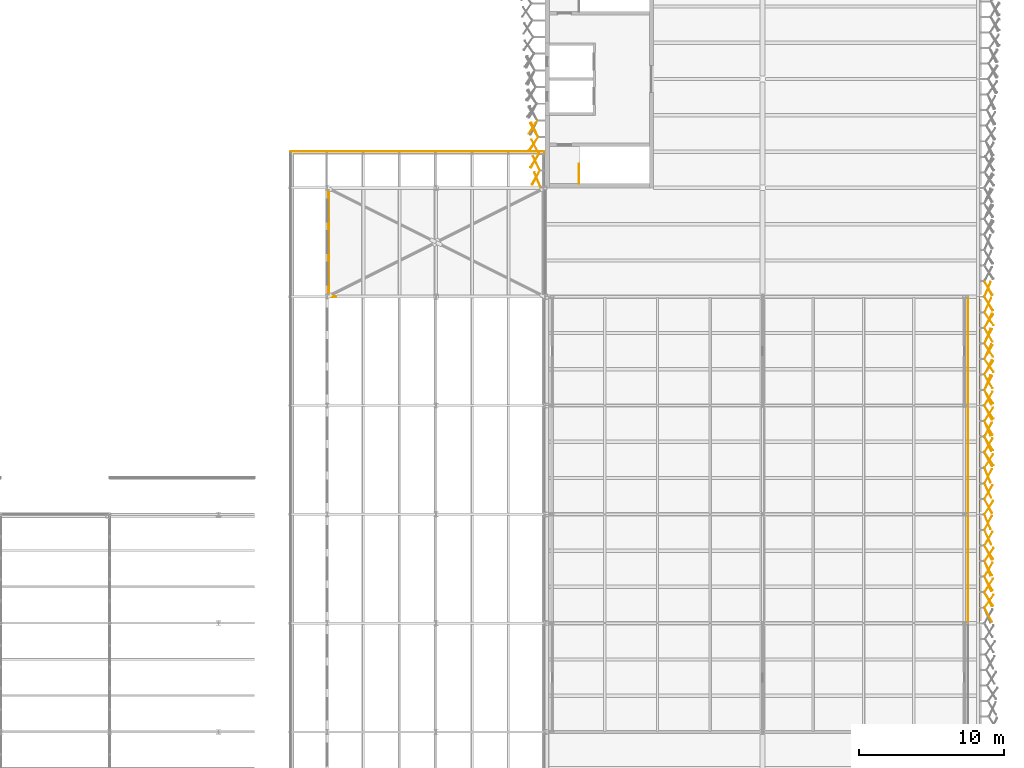
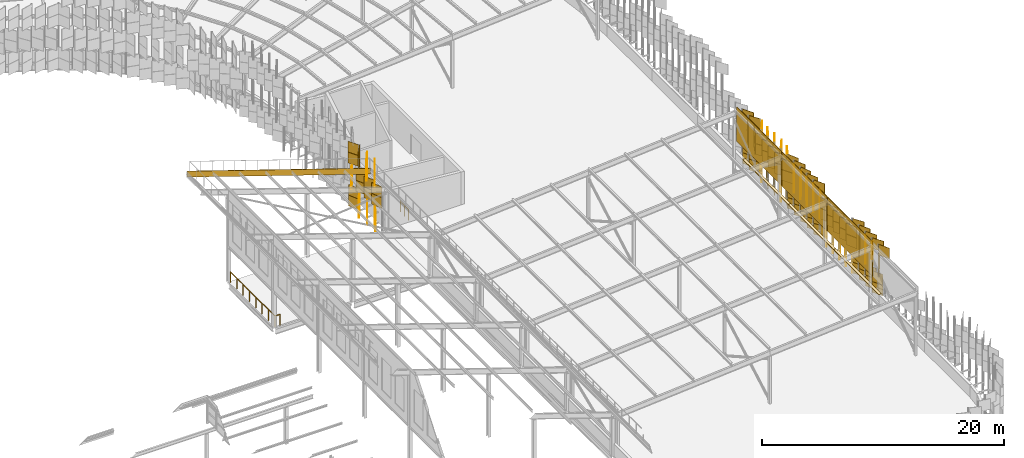
# One storey, part 469 of 483: 132 coverings, 2 railings.
"""IFC4 building model written with IfcOpenShell, lengths in metres."""

import ifcopenshell
import ifcopenshell.guid

model = None  # the IFC model being written
_history = None  # IfcOwnerHistory: only IFC2X3 demands one
_inside = {}  # id of a spatial element -> (the spatial element, [elements in it])
_under = {}  # id of a project, library or spatial element -> (it, [spatial elements below it])
_declared = {}  # id of a project -> (the project, [libraries it declares])
_typed = {}  # id of a type object -> (the type object, [elements of that type])
_made_of = {}  # id of a material, layer set ... -> (it, [elements and type objects made of it])


def new_model(schema):
    """Start an empty IFC model of exactly this schema.

    Asked for "IFC4X3", IfcOpenShell would pick the latest addendum, in which some entities
    have other attributes; the version numbers below select the first issue.
    IFC2X3 requires an IfcOwnerHistory on every rooted entity: one is made here for all.
    """
    global model, _history
    if schema == "IFC4X3":
        model = ifcopenshell.file(schema_version=(4, 3, 0, 0))
    else:
        model = ifcopenshell.file(schema=schema)
    _inside.clear()
    _under.clear()
    _declared.clear()
    _typed.clear()
    _made_of.clear()
    _history = None
    if model.schema == "IFC2X3":
        org = make("IfcOrganization", Name="unknown")
        user = make(
            "IfcPersonAndOrganization",
            ThePerson=make("IfcPerson", FamilyName="unknown"),
            TheOrganization=org,
        )
        app = make(
            "IfcApplication",
            ApplicationDeveloper=org,
            Version="unknown",
            ApplicationFullName="unknown",
            ApplicationIdentifier="unknown",
        )
        _history = make(
            "IfcOwnerHistory",
            OwningUser=user,
            OwningApplication=app,
            ChangeAction="ADDED",
            CreationDate=0,
        )
    return model


def make(cls, **values):
    """One entity of the class cls with the attributes given. An attribute that is None is left unset."""
    return model.create_entity(
        cls, **{name: value for name, value in values.items() if value is not None}
    )


def rooted(cls, **values):
    """An entity with a GlobalId (a new one), such as an element, a storey or a relation."""
    return make(cls, GlobalId=ifcopenshell.guid.new(), OwnerHistory=_history, **values)


def si_unit(unit_type, name, prefix=None):
    """IfcSIUnit, for example si_unit("LENGTHUNIT", "METRE", prefix="MILLI")."""
    return make("IfcSIUnit", UnitType=unit_type, Prefix=prefix, Name=name)


def assignment(units):
    """IfcUnitAssignment: the units of a project."""
    return None if units is None else make("IfcUnitAssignment", Units=units)


def point(xyz):
    """IfcCartesianPoint."""
    return None if xyz is None else make("IfcCartesianPoint", Coordinates=xyz)


def direction(xyz):
    """IfcDirection."""
    return None if xyz is None else make("IfcDirection", DirectionRatios=xyz)


def frame(location, z_axis=None, x_axis=None):
    """IfcAxis2Placement3D, a coordinate frame: its origin and axes. An axis left out is left unset."""
    return make(
        "IfcAxis2Placement3D",
        Location=point(location),
        Axis=direction(z_axis),
        RefDirection=direction(x_axis),
    )


def frame_2d(location, x_axis=None):
    """IfcAxis2Placement2D, a coordinate frame in the plane: its origin and x axis."""
    return make(
        "IfcAxis2Placement2D", Location=point(location), RefDirection=direction(x_axis)
    )


def origin():
    """The frame at (0, 0, 0) with its axes left unset."""
    return frame((0.0, 0.0, 0.0))


def origin_2d():
    """The frame at (0, 0) in the plane with its x axis left unset."""
    return frame_2d((0.0, 0.0))


def place(relative_to, where):
    """IfcLocalPlacement: puts the frame where relative to a parent placement (None: the world)."""
    return make(
        "IfcLocalPlacement", PlacementRelTo=relative_to, RelativePlacement=where
    )


def context(
    kind, dimensions, precision=None, world=None, true_north=None, identifier=None
):
    """IfcGeometricRepresentationContext, for example the 3D "Model" context."""
    return make(
        "IfcGeometricRepresentationContext",
        ContextIdentifier=identifier,
        ContextType=kind,
        CoordinateSpaceDimension=dimensions,
        Precision=precision,
        WorldCoordinateSystem=world,
        TrueNorth=true_north,
    )


def subcontext(parent, identifier, kind, view, scale=None):
    """IfcGeometricRepresentationSubContext, for example "Body" below "Model"."""
    return make(
        "IfcGeometricRepresentationSubContext",
        ContextIdentifier=identifier,
        ContextType=kind,
        ParentContext=parent,
        TargetScale=scale,
        TargetView=view,
    )


def project(units=None, contexts=None):
    """IfcProject with its units and contexts."""
    return rooted(
        "IfcProject",
        Name="project",
        RepresentationContexts=contexts,
        UnitsInContext=assignment(units),
    )


def spatial(cls, under=None, at=None, **own):
    """A site, building, storey or space (cls), placed at a placement, below another one or the project."""
    s = rooted(cls, ObjectPlacement=at, **own)
    if under is not None:
        _under.setdefault(under.id(), (under, []))[1].append(s)
    return s


def polyline(points):
    """IfcPolyline through the points."""
    return make("IfcPolyline", Points=[point(p) for p in points])


def profile(cls, at=None, kind="AREA", **sizes):
    """A parametric profile (cls). Its sizes go by their IFC names, for example OverallWidth=200.0."""
    return make(cls, ProfileType=kind, Position=at, **sizes)


def rectangle(**sizes):
    """IfcRectangleProfileDef."""
    return profile("IfcRectangleProfileDef", **sizes)


def circle(**sizes):
    """IfcCircleProfileDef."""
    return profile("IfcCircleProfileDef", **sizes)


def outline(outer, holes=None, kind="AREA"):
    """IfcArbitraryClosedProfileDef: a profile drawn as a closed curve; with holes, ...WithVoids."""
    if holes is None:
        return make("IfcArbitraryClosedProfileDef", ProfileType=kind, OuterCurve=outer)
    return make(
        "IfcArbitraryProfileDefWithVoids",
        ProfileType=kind,
        OuterCurve=outer,
        InnerCurves=holes,
    )


def extrude(swept, where, along, depth):
    """IfcExtrudedAreaSolid: the profile swept, set in the frame where, extruded along a direction by depth."""
    return make(
        "IfcExtrudedAreaSolid",
        SweptArea=swept,
        Position=where,
        ExtrudedDirection=direction(along),
        Depth=depth,
    )


def shape(context_of_items, identifier, shape_type, items):
    """IfcShapeRepresentation: the items that make up one representation, for example the "Body"."""
    return make(
        "IfcShapeRepresentation",
        ContextOfItems=context_of_items,
        RepresentationIdentifier=identifier,
        RepresentationType=shape_type,
        Items=items,
    )


def material(Name=None, Category=None):
    """IfcMaterial."""
    return make("IfcMaterial", Name=Name, Category=Category)


def layer(
    of_material, thickness, ventilated=None, Name=None, Category=None, Priority=None
):
    """IfcMaterialLayer: one layer of a wall or slab, of a material (None: an air gap)."""
    return make(
        "IfcMaterialLayer",
        Material=of_material,
        LayerThickness=thickness,
        IsVentilated=ventilated,
        Name=Name,
        Category=Category,
        Priority=Priority,
    )


def layer_set(layers, Name=None):
    """IfcMaterialLayerSet."""
    return make("IfcMaterialLayerSet", MaterialLayers=layers, LayerSetName=Name)


def made_of(thing, what):
    """Note that an element or type object is made of a material, layer set ...; save() writes the relation."""
    if what is not None:
        _made_of.setdefault(what.id(), (what, []))[1].append(thing)
    return thing


def type_object(cls, material=None, **own):
    """A type object (cls), such as IfcWallType, which elements share."""
    return made_of(rooted(cls, **own), material)


def element(
    cls,
    number,
    at=None,
    inside=None,
    cuts=None,
    type_object=None,
    material=None,
    context=None,
    identifier="Body",
    shape_type=None,
    held_by="IfcProductDefinitionShape",
    body=None,
    shapes=None,
    **own,
):
    """One element of the class cls, such as IfcWall. Its Tag is "e" and its number.

    at: its placement. inside: the storey or other place that contains it. cuts: it is an
    opening in that element (IfcRelVoidsElement). A single representation is given by context,
    identifier, shape_type and body (its items); several are given by shapes. held_by: the class
    of the entity that holds the representations. save() writes the other relations.
    """
    e = rooted(cls, Tag="e%d" % number, ObjectPlacement=at, **own)
    if body is not None:
        shapes = [shape(context, identifier, shape_type, body)]
    if shapes is not None:
        e.Representation = make(held_by, Representations=shapes)
    if inside is not None:
        _inside.setdefault(inside.id(), (inside, []))[1].append(e)
    if cuts is not None:
        rooted(
            "IfcRelVoidsElement", RelatingBuildingElement=cuts, RelatedOpeningElement=e
        )
    if type_object is not None:
        _typed.setdefault(type_object.id(), (type_object, []))[1].append(e)
    return made_of(e, material)


def aggregate(whole, parts):
    """IfcRelAggregates: a whole, such as a stair, and the parts it consists of."""
    return rooted("IfcRelAggregates", RelatingObject=whole, RelatedObjects=parts)


def save(model, path):
    """Write the relations noted so far, then the file.

    IfcRelAggregates (storeys below a building ...), IfcRelContainedInSpatialStructure (elements
    in a storey), IfcRelDefinesByType, IfcRelAssociatesMaterial and IfcRelDeclares: one each for
    every whole, place, type object, material and project.
    """
    for whole, parts in _under.values():
        aggregate(whole, parts)
    for where, things in _inside.values():
        rooted(
            "IfcRelContainedInSpatialStructure",
            RelatedElements=things,
            RelatingStructure=where,
        )
    for kind, things in _typed.values():
        rooted("IfcRelDefinesByType", RelatedObjects=things, RelatingType=kind)
    for what, things in _made_of.values():
        rooted("IfcRelAssociatesMaterial", RelatedObjects=things, RelatingMaterial=what)
    for by, libraries in _declared.values():
        rooted("IfcRelDeclares", RelatingContext=by, RelatedDefinitions=libraries)
    model.write(path)


model = new_model("IFC4")

# Units and contexts
model_context = context("Model", 3, precision=1e-05, world=origin(), true_north=direction((0.0, 1.0)))
body_context = subcontext(model_context, "Body", "Model", "MODEL_VIEW")
ifc_project = project(units=[si_unit("LENGTHUNIT", "METRE"), si_unit("AREAUNIT", "SQUARE_METRE"), si_unit("VOLUMEUNIT", "CUBIC_METRE"), si_unit("PLANEANGLEUNIT", "RADIAN"), si_unit("MASSUNIT", "GRAM", prefix="KILO")], contexts=[model_context])

# Site, building, storey
site_placement = place(None, origin())
site = spatial("IfcSite", under=ifc_project, at=site_placement, CompositionType="ELEMENT")
building_placement = place(site_placement, origin())
building = spatial("IfcBuilding", under=site, at=building_placement, Name="Parallax Yard Mobility Hub", CompositionType="ELEMENT")
storey_placement = place(building_placement, frame((0.0, 0.0, 13.199951171875)))
storey = spatial("IfcBuildingStorey", under=building, at=storey_placement, Name="L04", CompositionType="ELEMENT", Elevation=13.199951171875)

# Railing
ifc_material_1 = material(Name="Steel ASTM A36", Category="steel")
railing_type_1 = type_object("IfcRailingType", Name="Landing edge guard 1100", PredefinedType="GUARDRAIL", material=ifc_material_1)
railing_1_placement = place(storey_placement, frame((180.60009765625, 67.5, 0.0)))
element("IfcRailing", 1, at=railing_1_placement, inside=storey, type_object=railing_type_1, Name="Ramp house north landing west edge guard level L04", PredefinedType="GUARDRAIL", context=body_context, shape_type="SweptSolid", body=[
    extrude(circle(Radius=0.02392578125, at=origin_2d()), frame((0.0, 0.0, 1.076171875), z_axis=(-1.0, 0.0, 0.0), x_axis=(0.0, -1.0, 0.0)), (0.0, 0.0, 1.0), 0.5),
    extrude(circle(Radius=0.02392578125, at=origin_2d()), frame((-0.5, 0.0, 1.076171875), z_axis=(0.0, 1.0, 0.0), x_axis=(-1.0, 0.0, 0.0)), (0.0, 0.0, 1.0), 7.346435546875),
    extrude(circle(Radius=0.02099609375, at=origin_2d()), origin(), (0.0, 0.0, 1.0), 1.052001953125),
    extrude(circle(Radius=0.02099609375, at=origin_2d()), frame((-0.5, 0.0, 0.0)), (0.0, 0.0, 1.0), 1.052001953125),
    extrude(circle(Radius=0.02099609375, at=origin_2d()), frame((-0.5, 1.049560546875, 0.0)), (0.0, 0.0, 1.0), 1.052001953125),
    extrude(circle(Radius=0.02099609375, at=origin_2d()), frame((-0.5, 2.098876953125, 0.0)), (0.0, 0.0, 1.0), 1.052001953125),
    extrude(circle(Radius=0.02099609375, at=origin_2d()), frame((-0.5, 3.1484375, 0.0)), (0.0, 0.0, 1.0), 1.052001953125),
    extrude(circle(Radius=0.02099609375, at=origin_2d()), frame((-0.5, 4.197998046875, 0.0)), (0.0, 0.0, 1.0), 1.052001953125),
    extrude(circle(Radius=0.02099609375, at=origin_2d()), frame((-0.5, 5.24755859375, 0.0)), (0.0, 0.0, 1.0), 1.052001953125),
    extrude(circle(Radius=0.02099609375, at=origin_2d()), frame((-0.5, 6.296875, 0.0)), (0.0, 0.0, 1.0), 1.052001953125),
    extrude(circle(Radius=0.02099609375, at=origin_2d()), frame((-0.5, 7.346435546875, 0.0)), (0.0, 0.0, 1.0), 1.052001953125),
])

# Coverings
ifc_material_2 = material(Name="Concrete fc' 35 MPa", Category="concrete")
ifc_layer_1 = layer(ifc_material_2, 0.06005859375)
ifc_layer_set_1 = layer_set([ifc_layer_1], Name="Parapet coping, Concrete fc' 35 MPa precast, 240")
covering_type_1 = type_object("IfcCoveringType", Name="Parapet coping, Concrete fc' 35 MPa precast, 240", PredefinedType="USERDEFINED", material=ifc_layer_set_1)
covering_1_placement = place(storey_placement, frame((0.0, 0.0, 1.199951171875)))
element("IfcCovering", 2, at=covering_1_placement, inside=storey, type_object=covering_type_1, Name="Parapet coping run 4 part 11", ObjectType="COPING", PredefinedType="USERDEFINED", context=body_context, shape_type="SweptSolid", body=[
    extrude(outline(polyline([(224.73388671875, 45.000244140625), (224.97412109375, 45.000244140625), (224.97412109375, 52.500244140625), (224.73388671875, 52.500244140625), (224.73388671875, 45.000244140625)])), origin(), (0.0, 0.0, 1.0), 0.06005859375),
])
covering_2_placement = place(storey_placement, frame((0.0, 0.0, 1.199951171875)))
element("IfcCovering", 3, at=covering_2_placement, inside=storey, type_object=covering_type_1, Name="Parapet coping run 4 part 12", ObjectType="COPING", PredefinedType="USERDEFINED", context=body_context, shape_type="SweptSolid", body=[
    extrude(outline(polyline([(224.73388671875, 52.500244140625), (224.97412109375, 52.500244140625), (224.97412109375, 60.000244140625), (224.73388671875, 60.000244140625), (224.73388671875, 52.500244140625)])), origin(), (0.0, 0.0, 1.0), 0.06005859375),
])
covering_3_placement = place(storey_placement, frame((0.0, 0.0, 1.199951171875)))
element("IfcCovering", 4, at=covering_3_placement, inside=storey, type_object=covering_type_1, Name="Parapet coping run 4 part 13", ObjectType="COPING", PredefinedType="USERDEFINED", context=body_context, shape_type="SweptSolid", body=[
    extrude(outline(polyline([(224.73388671875, 60.000244140625), (224.97412109375, 60.000244140625), (224.97412109375, 67.500244140625), (224.73388671875, 67.500244140625), (224.73388671875, 60.000244140625)])), origin(), (0.0, 0.0, 1.0), 0.06005859375),
])
ifc_material_3 = material(Name="Aluminium composite fascia panel", Category="aluminium")
ifc_layer_2 = layer(ifc_material_3, 0.0400390625)
ifc_layer_set_2 = layer_set([ifc_layer_2], Name="Roof fascia 600")
covering_type_2 = type_object("IfcCoveringType", Name="Roof fascia 600", PredefinedType="CLADDING", material=ifc_layer_set_2)
covering_4_placement = place(storey_placement, frame((195.0, 77.5, 4.702392578125), z_axis=(0.0, -1.0, 0.0), x_axis=(-0.948684621542, 0.0, 0.316223795515)))
element("IfcCovering", 5, at=covering_4_placement, inside=storey, type_object=covering_type_2, Name="Fascia on roof edge V2-PL edge 3", PredefinedType="CLADDING", context=body_context, shape_type="SweptSolid", body=[
    extrude(outline(polyline([(0.0, 0.0), (18.446593949795627, 0.0), (18.25682879125671, 0.5693034179077463), (-0.1897651585389199, 0.5693034179077461), (0.0, 0.0)])), origin(), (0.0, 0.0, -1.0), 0.0400390625),
])
ifc_material_4 = material(Name="Aluminium panel, silver anodised", Category="aluminium")
ifc_layer_3 = layer(ifc_material_4, 0.030029296875)
ifc_layer_set_3 = layer_set([ifc_layer_3], Name="Skin panel 22.5 degree turn, silver anodised")
covering_type_3 = type_object("IfcCoveringType", Name="Skin panel 22.5 degree turn, silver anodised", PredefinedType="CLADDING", material=ifc_layer_set_3)
for number, where, z_axis, x_axis, name in (
    (6, (225.512939453125, 48.7626953125, 0.02001953125), (0.0, 0.0, 1.0), (0.382683432365, -0.923879532511, 0.0), "Skin panel 22.5 bay 35.4 row 1 level L04"),
    (7, (225.512939453125, 48.7626953125, 1.1201171875), (0.0, 0.0, 1.0), (0.382683432365, -0.923879532511, 0.0), "Skin panel 22.5 bay 35.4 row 2 level L04"),
    (8, (225.512939453125, 51.977783203125, 2.219970703125), (0.0, 0.0, 1.0), (0.382683432365, -0.923879532511, 0.0), "Skin panel 22.5 bay 35.7 row 3 level L04"),
    (9, (225.512939453125, 51.977783203125, 3.320068359375), (0.0, 0.0, 1.0), (0.382683432365, -0.923879532511, 0.0), "Skin panel 22.5 bay 35.7 row 4 level L04"),
    (10, (225.512939453125, 55.193115234375, 2.219970703125), (0.0, 0.0, 1.0), (0.382683432365, -0.923879532511, 0.0), "Skin panel 22.5 bay 36.3 row 3 level L04"),
    (11, (225.512939453125, 55.193115234375, 3.320068359375), (0.0, 0.0, 1.0), (0.382683432365, -0.923879532511, 0.0), "Skin panel 22.5 bay 36.3 row 4 level L04"),
    (12, (225.512939453125, 58.408203125, 4.419921875), (0.0, 0.0, 1.0), (0.382683432365, -0.923879532511, 0.0), "Skin panel 22.5 bay 36.6 row 5 level L04"),
    (13, (225.512939453125, 61.57958984375, 0.02001953125), (0.0, 0.0, 1.0), (0.382683432365, 0.923879532511, 0.0), "Skin panel 22.5 bay 37.2 row 1 level L04"),
    (14, (225.512939453125, 61.57958984375, 1.1201171875), (0.0, 0.0, 1.0), (0.382683432365, 0.923879532511, 0.0), "Skin panel 22.5 bay 37.2 row 2 level L04"),
    (15, (225.512939453125, 64.794921875, 0.02001953125), (0.0, 0.0, 1.0), (0.382683432365, 0.923879532511, 0.0), "Skin panel 22.5 bay 37.5 row 1 level L04"),
    (16, (225.512939453125, 64.794921875, 1.1201171875), (0.0, 0.0, 1.0), (0.382683432365, 0.923879532511, 0.0), "Skin panel 22.5 bay 37.5 row 2 level L04"),
    (17, (225.512939453125, 68.010009765625, 2.219970703125), (0.0, 0.0, 1.0), (0.382683432365, 0.923879532511, 0.0), "Skin panel 22.5 bay 38.1 row 3 level L04"),
    (18, (225.512939453125, 68.010009765625, 3.320068359375), (0.0, 0.0, 1.0), (0.382683432365, 0.923879532511, 0.0), "Skin panel 22.5 bay 38.1 row 4 level L04"),
    (19, (194.487060546875, 75.561279296875, 2.219970703125), (0.0, 0.0, 1.0), (-0.382683432365, 0.923879532511, 0.0), "Skin panel 22.5 bay 23.13 row 3 level L04"),
    (20, (194.487060546875, 75.561279296875, 3.320068359375), (0.0, 0.0, 1.0), (-0.382683432365, 0.923879532511, 0.0), "Skin panel 22.5 bay 23.13 row 4 level L04"),
):
    element("IfcCovering", number, at=place(storey_placement, frame(where, z_axis=z_axis, x_axis=x_axis)), inside=storey, type_object=covering_type_3, Name=name, ObjectType="SCREEN", PredefinedType="CLADDING", context=body_context, shape_type="SweptSolid", body=[
        extrude(rectangle(XDim=1.080078125, YDim=0.030029296875, at=origin_2d()), origin(), (0.0, 0.0, 1.0), 1.080078125),
    ])
ifc_layer_4 = layer(ifc_material_4, 0.030029296875)
ifc_layer_set_4 = layer_set([ifc_layer_4], Name="Skin panel 25 degree turn, silver anodised")
covering_type_4 = type_object("IfcCoveringType", Name="Skin panel 25 degree turn, silver anodised", PredefinedType="CLADDING", material=ifc_layer_set_4)
for number, where, z_axis, x_axis, name in (
    (21, (225.53515625, 47.70068359375, 0.02001953125), (0.0, 0.0, 1.0), (0.422618261741, -0.906307787037, 0.0), "Skin panel 25 bay 35.3 row 1 level L04"),
    (22, (225.53515625, 47.70068359375, 1.1201171875), (0.0, 0.0, 1.0), (0.422618261741, -0.906307787037, 0.0), "Skin panel 25 bay 35.3 row 2 level L04"),
    (23, (225.53515625, 50.916015625, 2.219970703125), (0.0, 0.0, 1.0), (0.422618261741, -0.906307787037, 0.0), "Skin panel 25 bay 35.6 row 3 level L04"),
    (24, (225.53515625, 50.916015625, 3.320068359375), (0.0, 0.0, 1.0), (0.422618261741, -0.906307787037, 0.0), "Skin panel 25 bay 35.6 row 4 level L04"),
    (25, (225.53515625, 54.131103515625, 2.219970703125), (0.0, 0.0, 1.0), (0.422618261741, -0.906307787037, 0.0), "Skin panel 25 bay 36.2 row 3 level L04"),
    (26, (225.53515625, 54.131103515625, 3.320068359375), (0.0, 0.0, 1.0), (0.422618261741, -0.906307787037, 0.0), "Skin panel 25 bay 36.2 row 4 level L04"),
    (27, (225.53515625, 57.34619140625, 4.419921875), (0.0, 0.0, 1.0), (0.422618261741, -0.906307787037, 0.0), "Skin panel 25 bay 36.5 row 5 level L04"),
    (28, (225.53515625, 60.5615234375, 4.419921875), (0.0, 0.0, 1.0), (0.422618261741, -0.906307787037, 0.0), "Skin panel 25 bay 37.1 row 5 level L04"),
    (29, (225.53515625, 63.71337890625, 0.02001953125), (0.0, 0.0, 1.0), (0.422618261741, 0.906307787037, 0.0), "Skin panel 25 bay 37.4 row 1 level L04"),
    (30, (225.53515625, 63.71337890625, 1.1201171875), (0.0, 0.0, 1.0), (0.422618261741, 0.906307787037, 0.0), "Skin panel 25 bay 37.4 row 2 level L04"),
    (31, (225.53515625, 66.9287109375, 2.219970703125), (0.0, 0.0, 1.0), (0.422618261741, 0.906307787037, 0.0), "Skin panel 25 bay 37.7 row 3 level L04"),
    (32, (225.53515625, 66.9287109375, 3.320068359375), (0.0, 0.0, 1.0), (0.422618261741, 0.906307787037, 0.0), "Skin panel 25 bay 37.7 row 4 level L04"),
    (33, (194.302001953125, 79.001953125, 0.02001953125), (0.0, 0.0, 1.0), (-0.422618261741, 0.906307787037, 0.0), "Skin panel 25 bay 23.10 row 1 level L04"),
    (34, (194.302001953125, 79.001953125, 1.1201171875), (0.0, 0.0, 1.0), (-0.422618261741, 0.906307787037, 0.0), "Skin panel 25 bay 23.10 row 2 level L04"),
    (35, (194.4169921875, 76.70166015625, 2.219970703125), (0.0, 0.0, 1.0), (-0.422618261741, 0.906307787037, 0.0), "Skin panel 25 bay 23.12 row 3 level L04"),
    (36, (194.4169921875, 76.70166015625, 3.320068359375), (0.0, 0.0, 1.0), (-0.422618261741, 0.906307787037, 0.0), "Skin panel 25 bay 23.12 row 4 level L04"),
):
    element("IfcCovering", number, at=place(storey_placement, frame(where, z_axis=z_axis, x_axis=x_axis)), inside=storey, type_object=covering_type_4, Name=name, ObjectType="SCREEN", PredefinedType="CLADDING", context=body_context, shape_type="SweptSolid", body=[
        extrude(rectangle(XDim=1.080078125, YDim=0.030029296875, at=origin_2d()), origin(), (0.0, 0.0, 1.0), 1.080078125),
    ])
ifc_layer_5 = layer(ifc_material_4, 0.030029296875)
ifc_layer_set_5 = layer_set([ifc_layer_5], Name="Skin panel 27.5 degree turn, silver anodised")
covering_type_5 = type_object("IfcCoveringType", Name="Skin panel 27.5 degree turn, silver anodised", PredefinedType="CLADDING", material=ifc_layer_set_5)
for number, where, z_axis, x_axis, name in (
    (37, (225.556884765625, 45.568115234375, 4.419921875), (0.0, 0.0, 1.0), (0.461748613235, -0.887010833178, 0.0), "Skin panel 27.5 bay 35.1 row 5 level L04"),
    (38, (225.556884765625, 46.6396484375, 0.02001953125), (0.0, 0.0, 1.0), (0.461748613235, -0.887010833178, 0.0), "Skin panel 27.5 bay 35.2 row 1 level L04"),
    (39, (225.556884765625, 46.6396484375, 1.1201171875), (0.0, 0.0, 1.0), (0.461748613235, -0.887010833178, 0.0), "Skin panel 27.5 bay 35.2 row 2 level L04"),
    (40, (225.556884765625, 48.783203125, 4.419921875), (0.0, 0.0, 1.0), (0.461748613235, -0.887010833178, 0.0), "Skin panel 27.5 bay 35.4 row 5 level L04"),
    (41, (225.556884765625, 49.85498046875, 0.02001953125), (0.0, 0.0, 1.0), (0.461748613235, -0.887010833178, 0.0), "Skin panel 27.5 bay 35.5 row 1 level L04"),
    (42, (225.556884765625, 49.85498046875, 1.1201171875), (0.0, 0.0, 1.0), (0.461748613235, -0.887010833178, 0.0), "Skin panel 27.5 bay 35.5 row 2 level L04"),
    (43, (225.556884765625, 51.91357421875, 0.02001953125), (0.0, 0.0, 1.0), (0.461748613235, 0.887010833178, 0.0), "Skin panel 27.5 bay 35.7 row 1 level L04"),
    (44, (225.556884765625, 51.91357421875, 1.1201171875), (0.0, 0.0, 1.0), (0.461748613235, 0.887010833178, 0.0), "Skin panel 27.5 bay 35.7 row 2 level L04"),
    (45, (225.556884765625, 53.070068359375, 2.219970703125), (0.0, 0.0, 1.0), (0.461748613235, -0.887010833178, 0.0), "Skin panel 27.5 bay 36.1 row 3 level L04"),
    (46, (225.556884765625, 53.070068359375, 3.320068359375), (0.0, 0.0, 1.0), (0.461748613235, -0.887010833178, 0.0), "Skin panel 27.5 bay 36.1 row 4 level L04"),
    (47, (225.556884765625, 55.12890625, 0.02001953125), (0.0, 0.0, 1.0), (0.461748613235, 0.887010833178, 0.0), "Skin panel 27.5 bay 36.3 row 1 level L04"),
    (48, (225.556884765625, 55.12890625, 1.1201171875), (0.0, 0.0, 1.0), (0.461748613235, 0.887010833178, 0.0), "Skin panel 27.5 bay 36.3 row 2 level L04"),
    (49, (225.556884765625, 56.285400390625, 4.419921875), (0.0, 0.0, 1.0), (0.461748613235, -0.887010833178, 0.0), "Skin panel 27.5 bay 36.4 row 5 level L04"),
    (50, (225.556884765625, 58.343994140625, 2.219970703125), (0.0, 0.0, 1.0), (0.461748613235, 0.887010833178, 0.0), "Skin panel 27.5 bay 36.6 row 3 level L04"),
    (51, (225.556884765625, 58.343994140625, 3.320068359375), (0.0, 0.0, 1.0), (0.461748613235, 0.887010833178, 0.0), "Skin panel 27.5 bay 36.6 row 4 level L04"),
    (52, (225.556884765625, 59.50048828125, 4.419921875), (0.0, 0.0, 1.0), (0.461748613235, -0.887010833178, 0.0), "Skin panel 27.5 bay 36.7 row 5 level L04"),
    (53, (225.556884765625, 61.55908203125, 4.419921875), (0.0, 0.0, 1.0), (0.461748613235, 0.887010833178, 0.0), "Skin panel 27.5 bay 37.2 row 5 level L04"),
    (54, (225.556884765625, 62.630859375, 0.02001953125), (0.0, 0.0, 1.0), (0.461748613235, 0.887010833178, 0.0), "Skin panel 27.5 bay 37.3 row 1 level L04"),
    (55, (225.556884765625, 62.630859375, 1.1201171875), (0.0, 0.0, 1.0), (0.461748613235, 0.887010833178, 0.0), "Skin panel 27.5 bay 37.3 row 2 level L04"),
    (56, (225.556884765625, 64.7744140625, 4.419921875), (0.0, 0.0, 1.0), (0.461748613235, 0.887010833178, 0.0), "Skin panel 27.5 bay 37.5 row 5 level L04"),
    (57, (225.556884765625, 65.84619140625, 0.02001953125), (0.0, 0.0, 1.0), (0.461748613235, 0.887010833178, 0.0), "Skin panel 27.5 bay 37.6 row 1 level L04"),
    (58, (225.556884765625, 65.84619140625, 1.1201171875), (0.0, 0.0, 1.0), (0.461748613235, 0.887010833178, 0.0), "Skin panel 27.5 bay 37.6 row 2 level L04"),
    (59, (225.556884765625, 68.07421875, 0.02001953125), (0.0, 0.0, 1.0), (0.461748613235, -0.887010833178, 0.0), "Skin panel 27.5 bay 38.1 row 1 level L04"),
    (60, (225.556884765625, 68.07421875, 1.1201171875), (0.0, 0.0, 1.0), (0.461748613235, -0.887010833178, 0.0), "Skin panel 27.5 bay 38.1 row 2 level L04"),
    (61, (194.337890625, 77.841064453125, 2.219970703125), (0.0, 0.0, 1.0), (-0.461748613235, 0.887010833178, 0.0), "Skin panel 27.5 bay 23.11 row 3 level L04"),
    (62, (194.337890625, 77.841064453125, 3.320068359375), (0.0, 0.0, 1.0), (-0.461748613235, 0.887010833178, 0.0), "Skin panel 27.5 bay 23.11 row 4 level L04"),
    (63, (194.3955078125, 75.703857421875, 0.02001953125), (0.0, 0.0, 1.0), (-0.461748613235, -0.887010833178, 0.0), "Skin panel 27.5 bay 23.13 row 1 level L04"),
    (64, (194.3955078125, 75.703857421875, 1.1201171875), (0.0, 0.0, 1.0), (-0.461748613235, -0.887010833178, 0.0), "Skin panel 27.5 bay 23.13 row 2 level L04"),
):
    element("IfcCovering", number, at=place(storey_placement, frame(where, z_axis=z_axis, x_axis=x_axis)), inside=storey, type_object=covering_type_5, Name=name, ObjectType="SCREEN", PredefinedType="CLADDING", context=body_context, shape_type="SweptSolid", body=[
        extrude(rectangle(XDim=1.080078125, YDim=0.030029296875, at=origin_2d()), origin(), (0.0, 0.0, 1.0), 1.080078125),
    ])
ifc_layer_6 = layer(ifc_material_4, 0.030029296875)
ifc_layer_set_6 = layer_set([ifc_layer_6], Name="Skin panel 30 degree turn, silver anodised")
covering_type_6 = type_object("IfcCoveringType", Name="Skin panel 30 degree turn, silver anodised", PredefinedType="CLADDING", material=ifc_layer_set_6)
for number, where, z_axis, x_axis, name in (
    (65, (225.578125, 47.72314453125, 4.419921875), (0.0, 0.0, 1.0), (0.5, -0.866025403784, 0.0), "Skin panel 30 bay 35.3 row 5 level L04"),
    (66, (225.578125, 48.686767578125, 2.219970703125), (0.0, 0.0, 1.0), (0.5, 0.866025403784, 0.0), "Skin panel 30 bay 35.4 row 3 level L04"),
    (67, (225.578125, 48.686767578125, 3.320068359375), (0.0, 0.0, 1.0), (0.5, 0.866025403784, 0.0), "Skin panel 30 bay 35.4 row 4 level L04"),
    (68, (225.578125, 50.830078125, 0.02001953125), (0.0, 0.0, 1.0), (0.5, 0.866025403784, 0.0), "Skin panel 30 bay 35.6 row 1 level L04"),
    (69, (225.578125, 50.830078125, 1.1201171875), (0.0, 0.0, 1.0), (0.5, 0.866025403784, 0.0), "Skin panel 30 bay 35.6 row 2 level L04"),
    (70, (225.578125, 54.04541015625, 0.02001953125), (0.0, 0.0, 1.0), (0.5, 0.866025403784, 0.0), "Skin panel 30 bay 36.2 row 1 level L04"),
    (71, (225.578125, 54.04541015625, 1.1201171875), (0.0, 0.0, 1.0), (0.5, 0.866025403784, 0.0), "Skin panel 30 bay 36.2 row 2 level L04"),
    (72, (225.578125, 57.260498046875, 2.219970703125), (0.0, 0.0, 1.0), (0.5, 0.866025403784, 0.0), "Skin panel 30 bay 36.5 row 3 level L04"),
    (73, (225.578125, 57.260498046875, 3.320068359375), (0.0, 0.0, 1.0), (0.5, 0.866025403784, 0.0), "Skin panel 30 bay 36.5 row 4 level L04"),
    (74, (225.578125, 58.4404296875, 0.02001953125), (0.0, 0.0, 1.0), (0.5, -0.866025403784, 0.0), "Skin panel 30 bay 36.6 row 1 level L04"),
    (75, (225.578125, 58.4404296875, 1.1201171875), (0.0, 0.0, 1.0), (0.5, -0.866025403784, 0.0), "Skin panel 30 bay 36.6 row 2 level L04"),
    (76, (225.578125, 60.475830078125, 2.219970703125), (0.0, 0.0, 1.0), (0.5, 0.866025403784, 0.0), "Skin panel 30 bay 37.1 row 3 level L04"),
    (77, (225.578125, 60.475830078125, 3.320068359375), (0.0, 0.0, 1.0), (0.5, 0.866025403784, 0.0), "Skin panel 30 bay 37.1 row 4 level L04"),
    (78, (225.578125, 61.655517578125, 2.219970703125), (0.0, 0.0, 1.0), (0.5, -0.866025403784, 0.0), "Skin panel 30 bay 37.2 row 3 level L04"),
    (79, (225.578125, 61.655517578125, 3.320068359375), (0.0, 0.0, 1.0), (0.5, -0.866025403784, 0.0), "Skin panel 30 bay 37.2 row 4 level L04"),
    (80, (225.578125, 63.69091796875, 4.419921875), (0.0, 0.0, 1.0), (0.5, 0.866025403784, 0.0), "Skin panel 30 bay 37.4 row 5 level L04"),
    (81, (225.578125, 64.870849609375, 2.219970703125), (0.0, 0.0, 1.0), (0.5, -0.866025403784, 0.0), "Skin panel 30 bay 37.5 row 3 level L04"),
    (82, (225.578125, 64.870849609375, 3.320068359375), (0.0, 0.0, 1.0), (0.5, -0.866025403784, 0.0), "Skin panel 30 bay 37.5 row 4 level L04"),
    (83, (225.578125, 67.014404296875, 0.02001953125), (0.0, 0.0, 1.0), (0.5, -0.866025403784, 0.0), "Skin panel 30 bay 37.7 row 1 level L04"),
    (84, (225.578125, 67.014404296875, 1.1201171875), (0.0, 0.0, 1.0), (0.5, -0.866025403784, 0.0), "Skin panel 30 bay 37.7 row 2 level L04"),
    (85, (225.578125, 68.0859375, 4.419921875), (0.0, 0.0, 1.0), (0.5, -0.866025403784, 0.0), "Skin panel 30 bay 38.1 row 5 level L04"),
    (86, (194.259033203125, 78.9794921875, 4.419921875), (0.0, 0.0, 1.0), (-0.5, 0.866025403784, 0.0), "Skin panel 30 bay 23.10 row 5 level L04"),
    (87, (194.259033203125, 78.9794921875, 5.52001953125), (0.0, 0.0, 1.0), (-0.5, 0.866025403784, 0.0), "Skin panel 30 bay 23.10 row 6 level L04"),
    (88, (194.316650390625, 76.86572265625, 0.02001953125), (0.0, 0.0, 1.0), (-0.5, -0.866025403784, 0.0), "Skin panel 30 bay 23.12 row 1 level L04"),
    (89, (194.316650390625, 76.86572265625, 1.1201171875), (0.0, 0.0, 1.0), (-0.5, -0.866025403784, 0.0), "Skin panel 30 bay 23.12 row 2 level L04"),
    (90, (194.3740234375, 75.715576171875, 4.419921875), (0.0, 0.0, 1.0), (-0.5, -0.866025403784, 0.0), "Skin panel 30 bay 23.13 row 5 level L04"),
    (91, (194.3740234375, 75.715576171875, 5.52001953125), (0.0, 0.0, 1.0), (-0.5, -0.866025403784, 0.0), "Skin panel 30 bay 23.13 row 6 level L04"),
):
    element("IfcCovering", number, at=place(storey_placement, frame(where, z_axis=z_axis, x_axis=x_axis)), inside=storey, type_object=covering_type_6, Name=name, ObjectType="SCREEN", PredefinedType="CLADDING", context=body_context, shape_type="SweptSolid", body=[
        extrude(rectangle(XDim=1.080078125, YDim=0.030029296875, at=origin_2d()), origin(), (0.0, 0.0, 1.0), 1.080078125),
    ])
ifc_layer_7 = layer(ifc_material_4, 0.030029296875)
ifc_layer_set_7 = layer_set([ifc_layer_7], Name="Skin panel 32.5 degree turn, silver anodised")
covering_type_7 = type_object("IfcCoveringType", Name="Skin panel 32.5 degree turn, silver anodised", PredefinedType="CLADDING", material=ifc_layer_set_7)
for number, where, z_axis, x_axis, name in (
    (92, (225.598876953125, 46.6640625, 4.419921875), (0.0, 0.0, 1.0), (0.537299608347, -0.843391445813, 0.0), "Skin panel 32.5 bay 35.2 row 5 level L04"),
    (93, (225.598876953125, 47.602294921875, 2.219970703125), (0.0, 0.0, 1.0), (0.537299608347, 0.843391445813, 0.0), "Skin panel 32.5 bay 35.3 row 3 level L04"),
    (94, (225.598876953125, 47.602294921875, 3.320068359375), (0.0, 0.0, 1.0), (0.537299608347, 0.843391445813, 0.0), "Skin panel 32.5 bay 35.3 row 4 level L04"),
    (95, (225.598876953125, 49.879150390625, 4.419921875), (0.0, 0.0, 1.0), (0.537299608347, -0.843391445813, 0.0), "Skin panel 32.5 bay 35.5 row 5 level L04"),
    (96, (225.598876953125, 52.961181640625, 0.02001953125), (0.0, 0.0, 1.0), (0.537299608347, 0.843391445813, 0.0), "Skin panel 32.5 bay 36.1 row 1 level L04"),
    (97, (225.598876953125, 52.961181640625, 1.1201171875), (0.0, 0.0, 1.0), (0.537299608347, 0.843391445813, 0.0), "Skin panel 32.5 bay 36.1 row 2 level L04"),
    (98, (225.598876953125, 56.17626953125, 2.219970703125), (0.0, 0.0, 1.0), (0.537299608347, 0.843391445813, 0.0), "Skin panel 32.5 bay 36.4 row 3 level L04"),
    (99, (225.598876953125, 56.17626953125, 3.320068359375), (0.0, 0.0, 1.0), (0.537299608347, 0.843391445813, 0.0), "Skin panel 32.5 bay 36.4 row 4 level L04"),
    (100, (225.598876953125, 57.38134765625, 0.02001953125), (0.0, 0.0, 1.0), (0.537299608347, -0.843391445813, 0.0), "Skin panel 32.5 bay 36.5 row 1 level L04"),
    (101, (225.598876953125, 57.38134765625, 1.1201171875), (0.0, 0.0, 1.0), (0.537299608347, -0.843391445813, 0.0), "Skin panel 32.5 bay 36.5 row 2 level L04"),
    (102, (225.598876953125, 59.3916015625, 2.219970703125), (0.0, 0.0, 1.0), (0.537299608347, 0.843391445813, 0.0), "Skin panel 32.5 bay 36.7 row 3 level L04"),
    (103, (225.598876953125, 59.3916015625, 3.320068359375), (0.0, 0.0, 1.0), (0.537299608347, 0.843391445813, 0.0), "Skin panel 32.5 bay 36.7 row 4 level L04"),
    (104, (225.598876953125, 60.596435546875, 0.02001953125), (0.0, 0.0, 1.0), (0.537299608347, -0.843391445813, 0.0), "Skin panel 32.5 bay 37.1 row 1 level L04"),
    (105, (225.598876953125, 60.596435546875, 1.1201171875), (0.0, 0.0, 1.0), (0.537299608347, -0.843391445813, 0.0), "Skin panel 32.5 bay 37.1 row 2 level L04"),
    (106, (225.598876953125, 62.606689453125, 4.419921875), (0.0, 0.0, 1.0), (0.537299608347, 0.843391445813, 0.0), "Skin panel 32.5 bay 37.3 row 5 level L04"),
    (107, (225.598876953125, 63.811767578125, 2.219970703125), (0.0, 0.0, 1.0), (0.537299608347, -0.843391445813, 0.0), "Skin panel 32.5 bay 37.4 row 3 level L04"),
    (108, (225.598876953125, 63.811767578125, 3.320068359375), (0.0, 0.0, 1.0), (0.537299608347, -0.843391445813, 0.0), "Skin panel 32.5 bay 37.4 row 4 level L04"),
    (109, (225.598876953125, 65.82177734375, 4.419921875), (0.0, 0.0, 1.0), (0.537299608347, 0.843391445813, 0.0), "Skin panel 32.5 bay 37.6 row 5 level L04"),
    (110, (225.598876953125, 67.02685546875, 4.419921875), (0.0, 0.0, 1.0), (0.537299608347, -0.843391445813, 0.0), "Skin panel 32.5 bay 37.7 row 5 level L04"),
    (111, (194.180908203125, 79.1787109375, 2.219970703125), (0.0, 0.0, 1.0), (-0.537299608347, -0.843391445813, 0.0), "Skin panel 32.5 bay 23.10 row 3 level L04"),
    (112, (194.180908203125, 79.1787109375, 3.320068359375), (0.0, 0.0, 1.0), (-0.537299608347, -0.843391445813, 0.0), "Skin panel 32.5 bay 23.10 row 4 level L04"),
    (113, (194.23828125, 78.028564453125, 0.02001953125), (0.0, 0.0, 1.0), (-0.537299608347, -0.843391445813, 0.0), "Skin panel 32.5 bay 23.11 row 1 level L04"),
    (114, (194.23828125, 78.028564453125, 1.1201171875), (0.0, 0.0, 1.0), (-0.537299608347, -0.843391445813, 0.0), "Skin panel 32.5 bay 23.11 row 2 level L04"),
    (115, (194.2958984375, 76.87841796875, 4.419921875), (0.0, 0.0, 1.0), (-0.537299608347, -0.843391445813, 0.0), "Skin panel 32.5 bay 23.12 row 5 level L04"),
    (116, (194.2958984375, 76.87841796875, 5.52001953125), (0.0, 0.0, 1.0), (-0.537299608347, -0.843391445813, 0.0), "Skin panel 32.5 bay 23.12 row 6 level L04"),
):
    element("IfcCovering", number, at=place(storey_placement, frame(where, z_axis=z_axis, x_axis=x_axis)), inside=storey, type_object=covering_type_7, Name=name, ObjectType="SCREEN", PredefinedType="CLADDING", context=body_context, shape_type="SweptSolid", body=[
        extrude(rectangle(XDim=1.080078125, YDim=0.030029296875, at=origin_2d()), origin(), (0.0, 0.0, 1.0), 1.080078125),
    ])
ifc_layer_8 = layer(ifc_material_4, 0.030029296875)
ifc_layer_set_8 = layer_set([ifc_layer_8], Name="Skin panel 35 degree turn, silver anodised")
covering_type_8 = type_object("IfcCoveringType", Name="Skin panel 35 degree turn, silver anodised", PredefinedType="CLADDING", material=ifc_layer_set_8)
for number, where, z_axis, x_axis, name in (
    (117, (225.619140625, 46.51708984375, 2.219970703125), (0.0, 0.0, 1.0), (0.573576436351, 0.819152044289, 0.0), "Skin panel 35 bay 35.2 row 3 level L04"),
    (118, (225.619140625, 46.51708984375, 3.320068359375), (0.0, 0.0, 1.0), (0.573576436351, 0.819152044289, 0.0), "Skin panel 35 bay 35.2 row 4 level L04"),
    (119, (225.619140625, 49.732421875, 2.219970703125), (0.0, 0.0, 1.0), (0.573576436351, 0.819152044289, 0.0), "Skin panel 35 bay 35.5 row 3 level L04"),
    (120, (225.619140625, 49.732421875, 3.320068359375), (0.0, 0.0, 1.0), (0.573576436351, 0.819152044289, 0.0), "Skin panel 35 bay 35.5 row 4 level L04"),
    (121, (225.619140625, 56.322998046875, 0.02001953125), (0.0, 0.0, 1.0), (0.573576436351, -0.819152044289, 0.0), "Skin panel 35 bay 36.4 row 1 level L04"),
    (122, (225.619140625, 56.322998046875, 1.1201171875), (0.0, 0.0, 1.0), (0.573576436351, -0.819152044289, 0.0), "Skin panel 35 bay 36.4 row 2 level L04"),
    (123, (225.619140625, 59.5380859375, 0.02001953125), (0.0, 0.0, 1.0), (0.573576436351, -0.819152044289, 0.0), "Skin panel 35 bay 36.7 row 1 level L04"),
    (124, (225.619140625, 59.5380859375, 1.1201171875), (0.0, 0.0, 1.0), (0.573576436351, -0.819152044289, 0.0), "Skin panel 35 bay 36.7 row 2 level L04"),
    (125, (225.619140625, 62.75341796875, 2.219970703125), (0.0, 0.0, 1.0), (0.573576436351, -0.819152044289, 0.0), "Skin panel 35 bay 37.3 row 3 level L04"),
    (126, (225.619140625, 62.75341796875, 3.320068359375), (0.0, 0.0, 1.0), (0.573576436351, -0.819152044289, 0.0), "Skin panel 35 bay 37.3 row 4 level L04"),
    (127, (225.619140625, 65.968505859375, 2.219970703125), (0.0, 0.0, 1.0), (0.573576436351, -0.819152044289, 0.0), "Skin panel 35 bay 37.6 row 3 level L04"),
    (128, (225.619140625, 65.968505859375, 3.320068359375), (0.0, 0.0, 1.0), (0.573576436351, -0.819152044289, 0.0), "Skin panel 35 bay 37.6 row 4 level L04"),
    (129, (194.21826171875, 78.0419921875, 4.419921875), (0.0, 0.0, 1.0), (-0.573576436351, -0.819152044289, 0.0), "Skin panel 35 bay 23.11 row 5 level L04"),
    (130, (194.21826171875, 78.0419921875, 5.52001953125), (0.0, 0.0, 1.0), (-0.573576436351, -0.819152044289, 0.0), "Skin panel 35 bay 23.11 row 6 level L04"),
):
    element("IfcCovering", number, at=place(storey_placement, frame(where, z_axis=z_axis, x_axis=x_axis)), inside=storey, type_object=covering_type_8, Name=name, ObjectType="SCREEN", PredefinedType="CLADDING", context=body_context, shape_type="SweptSolid", body=[
        extrude(rectangle(XDim=1.080078125, YDim=0.030029296875, at=origin_2d()), origin(), (0.0, 0.0, 1.0), 1.080078125),
    ])

# Railing
railing_type_2 = type_object("IfcRailingType", Name="Stair guard 1100", PredefinedType="GUARDRAIL", material=ifc_material_1)
railing_2_placement = place(storey_placement, frame((197.35009765625, 75.300048828125, 0.0)))
element("IfcRailing", 131, at=railing_2_placement, inside=storey, type_object=railing_type_2, Name="L04 ST7 top well guard 1", PredefinedType="GUARDRAIL", context=body_context, shape_type="SweptSolid", body=[
    extrude(circle(Radius=0.02392578125, at=origin_2d()), frame((0.0, 0.0, 1.076171875), z_axis=(0.0, 1.0, 0.0), x_axis=(-1.0, 0.0, 0.0)), (0.0, 0.0, 1.0), 1.349853515625),
    extrude(circle(Radius=0.02099609375, at=origin_2d()), origin(), (0.0, 0.0, 1.0), 1.052001953125),
    extrude(circle(Radius=0.02099609375, at=origin_2d()), frame((0.0, 0.6748046875, 0.0)), (0.0, 0.0, 1.0), 1.052001953125),
    extrude(circle(Radius=0.02099609375, at=origin_2d()), frame((0.0, 1.349853515625, 0.0)), (0.0, 0.0, 1.0), 1.052001953125),
])

# Coverings
ifc_material_5 = material(Name="Anodised aluminium louvre panel", Category="aluminium")
ifc_layer_9 = layer(ifc_material_5, 0.050048828125)
ifc_layer_set_9 = layer_set([ifc_layer_9], Name="Storm valance louvre panel 50")
covering_type_9 = type_object("IfcCoveringType", Name="Storm valance louvre panel 50", PredefinedType="CLADDING", material=ifc_layer_set_9)
covering_5_placement = place(storey_placement, frame((0.0, 0.0, 3.300048828125)))
element("IfcCovering", 132, at=covering_5_placement, inside=storey, type_object=covering_type_9, Name="Storm valance sector E-A bay 2", PredefinedType="CLADDING", context=body_context, shape_type="SweptSolid", body=[
    extrude(outline(polyline([(224.139892578125, 45.030029296875), (224.139892578125, 52.469970703125), (224.18994140625, 52.469970703125), (224.18994140625, 45.030029296875), (224.139892578125, 45.030029296875)])), origin(), (0.0, 0.0, 1.0), 3.46630859375),
])
covering_6_placement = place(storey_placement, frame((0.0, 0.0, 3.300048828125)))
element("IfcCovering", 133, at=covering_6_placement, inside=storey, type_object=covering_type_9, Name="Storm valance sector E-A bay 3", PredefinedType="CLADDING", context=body_context, shape_type="SweptSolid", body=[
    extrude(outline(polyline([(224.139892578125, 52.530029296875), (224.139892578125, 59.969970703125), (224.18994140625, 59.969970703125), (224.18994140625, 52.530029296875), (224.139892578125, 52.530029296875)])), origin(), (0.0, 0.0, 1.0), 3.46630859375),
])
covering_7_placement = place(storey_placement, frame((0.0, 0.0, 3.300048828125)))
element("IfcCovering", 134, at=covering_7_placement, inside=storey, type_object=covering_type_9, Name="Storm valance sector E-A bay 4", PredefinedType="CLADDING", context=body_context, shape_type="SweptSolid", body=[
    extrude(outline(polyline([(224.139892578125, 60.030029296875), (224.139892578125, 67.469970703125), (224.18994140625, 67.469970703125), (224.18994140625, 60.030029296875), (224.139892578125, 60.030029296875)])), origin(), (0.0, 0.0, 1.0), 3.46630859375),
])

save(model, "model.ifc")
